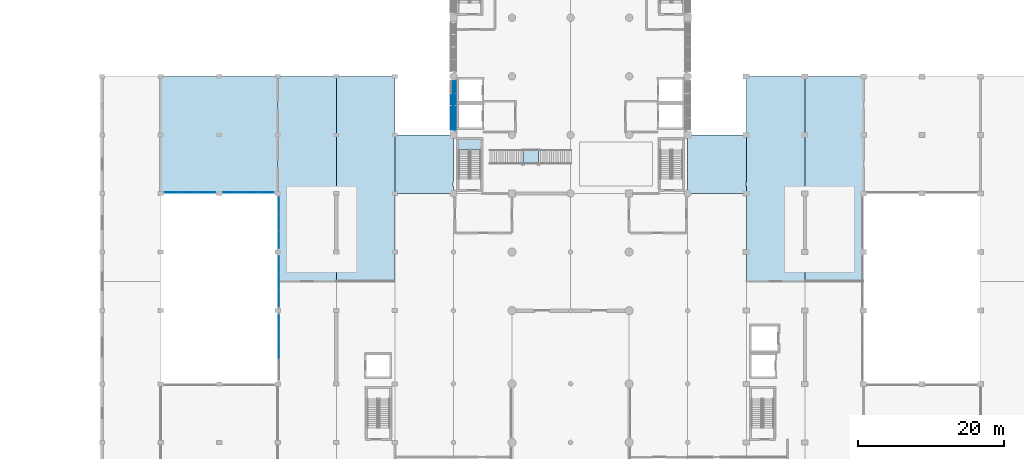
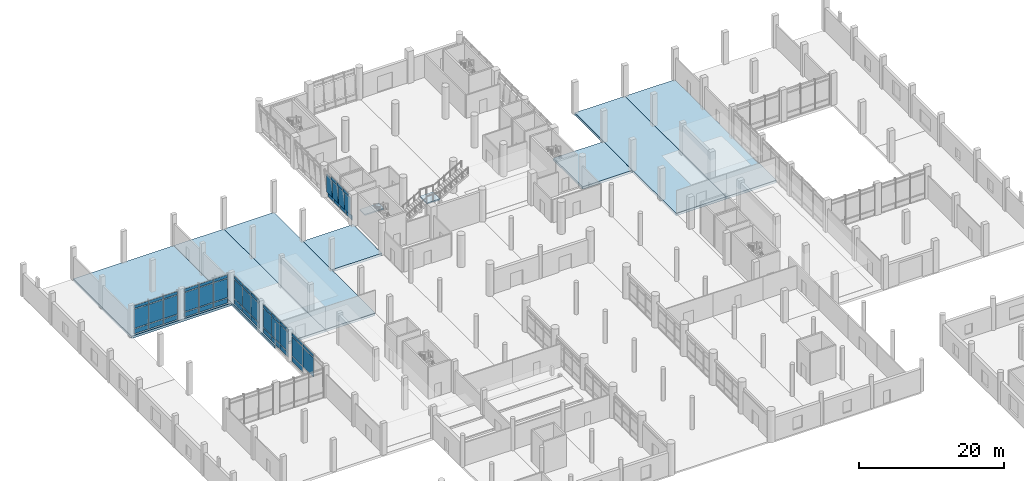
# One storey, part 17 of 42: 52 plates, 9 slabs, 8 elements without a shape of their own.
"""IFC4 building model written with IfcOpenShell, lengths in metres."""

from ifc_helpers import new_model, si_unit, direction, frame, origin, origin_2d, place, context, subcontext, project, spatial, polyline, rectangle, outline, extrude, material, layer, layer_set, type_object, element, aggregate, save


model = new_model("IFC4")

# Units and contexts
model_context = context("Model", 3, precision=1e-05, world=origin(), true_north=direction((0.0, 1.0)))
body_context = subcontext(model_context, "Body", "Model", "MODEL_VIEW")
ifc_project = project(units=[si_unit("LENGTHUNIT", "METRE"), si_unit("AREAUNIT", "SQUARE_METRE"), si_unit("VOLUMEUNIT", "CUBIC_METRE"), si_unit("PLANEANGLEUNIT", "RADIAN"), si_unit("MASSUNIT", "GRAM", prefix="KILO")], contexts=[model_context])

# Site, building, storey
site_placement = place(None, origin())
site = spatial("IfcSite", under=ifc_project, at=site_placement, CompositionType="ELEMENT")
building_placement = place(site_placement, origin())
building = spatial("IfcBuilding", under=site, at=building_placement, Name="Pecanmere Concourse Central Library", CompositionType="ELEMENT")
storey_placement = place(building_placement, origin())
storey = spatial("IfcBuildingStorey", under=building, at=storey_placement, Name="L01", CompositionType="ELEMENT", Elevation=0.0)

# Curtain wall, plate
ifc_material_1 = material(Name="Clear anodized aluminium alloy 6063-T6", Category="aluminium")
curtain_wall_type_1 = type_object("IfcCurtainWallType", Name="CW_CLOISTER_GLAZ", PredefinedType="USERDEFINED", material=ifc_material_1)
curtain_wall_1_placement = place(storey_placement, origin())
curtain_wall_1 = element("IfcCurtainWall", 1, at=curtain_wall_1_placement, inside=storey, type_object=curtain_wall_type_1, Name="Unitised Curtain Wall CW-04 L01-102", ObjectType="UNITISED CURTAIN WALL", PredefinedType="USERDEFINED")
ifc_material_2 = material(Name="White ceramic-fritted insulated spandrel glazing", Category="glass")
ifc_layer_1 = layer(ifc_material_2, 0.053955078125, Name="CWP_SPN_54")
ifc_layer_set_1 = layer_set([ifc_layer_1], Name="White ceramic-fritted insulated spandrel glazing")
plate_type_1 = type_object("IfcPlateType", Name="CWP_SPN_54", PredefinedType="CURTAIN_PANEL", material=ifc_layer_set_1)
plate_1_placement = place(storey_placement, frame((48.14990234375, 71.998291015625, 0.139892578125), z_axis=(0.0, 0.0, 1.0), x_axis=(0.0, -1.0, 0.0)))
plate_1 = element("IfcPlate", 2, at=plate_1_placement, type_object=plate_type_1, Name="CW-04 Spandrel Panel 1.1", PredefinedType="CURTAIN_PANEL", context=body_context, shape_type="SweptSolid", body=[
    extrude(rectangle(XDim=2.92333984375, YDim=0.035888671875, at=origin_2d()), origin(), (0.0, 0.0, 1.0), 0.7900390625),
])

# Curtain wall, plates
curtain_wall_2_placement = place(storey_placement, origin())
curtain_wall_2 = element("IfcCurtainWall", 3, at=curtain_wall_2_placement, inside=storey, type_object=curtain_wall_type_1, Name="Unitised Curtain Wall CW-04 L01-104", ObjectType="UNITISED CURTAIN WALL", PredefinedType="USERDEFINED")
plate_2_placement = place(storey_placement, frame((48.14990234375, 80.331787109375, 0.139892578125), z_axis=(0.0, 0.0, 1.0), x_axis=(0.0, -1.0, 0.0)))
plate_2 = element("IfcPlate", 4, at=plate_2_placement, type_object=plate_type_1, Name="CW-04 Spandrel Panel 1.1", PredefinedType="CURTAIN_PANEL", context=body_context, shape_type="SweptSolid", body=[
    extrude(rectangle(XDim=2.256591796875, YDim=0.035888671875, at=origin_2d()), origin(), (0.0, 0.0, 1.0), 0.7900390625),
])
plate_3_placement = place(storey_placement, frame((48.14990234375, 78.0, 0.139892578125), z_axis=(0.0, 0.0, 1.0), x_axis=(0.0, -1.0, 0.0)))
plate_3 = element("IfcPlate", 5, at=plate_3_placement, type_object=plate_type_1, Name="CW-04 Spandrel Panel 2.1", PredefinedType="CURTAIN_PANEL", context=body_context, shape_type="SweptSolid", body=[
    extrude(rectangle(XDim=2.28662109375, YDim=0.035888671875, at=origin_2d()), origin(), (0.0, 0.0, 1.0), 0.7900390625),
])
plate_4_placement = place(storey_placement, frame((48.14990234375, 75.668212890625, 0.139892578125), z_axis=(0.0, 0.0, 1.0), x_axis=(0.0, -1.0, 0.0)))
plate_4 = element("IfcPlate", 6, at=plate_4_placement, type_object=plate_type_1, Name="CW-04 Spandrel Panel 3.1", PredefinedType="CURTAIN_PANEL", context=body_context, shape_type="SweptSolid", body=[
    extrude(rectangle(XDim=2.256591796875, YDim=0.035888671875, at=origin_2d()), origin(), (0.0, 0.0, 1.0), 0.7900390625),
])

curtain_wall_3_placement = place(storey_placement, origin())
curtain_wall_3 = element("IfcCurtainWall", 7, at=curtain_wall_3_placement, inside=storey, type_object=curtain_wall_type_1, Name="Unitised Curtain Wall CW-04 L01-106", ObjectType="UNITISED CURTAIN WALL", PredefinedType="USERDEFINED")
plate_5_placement = place(storey_placement, frame((48.14990234375, 88.331787109375, 0.139892578125), z_axis=(0.0, 0.0, 1.0), x_axis=(0.0, -1.0, 0.0)))
plate_5 = element("IfcPlate", 8, at=plate_5_placement, type_object=plate_type_1, Name="CW-04 Spandrel Panel 1.1", PredefinedType="CURTAIN_PANEL", context=body_context, shape_type="SweptSolid", body=[
    extrude(rectangle(XDim=2.256591796875, YDim=0.035888671875, at=origin_2d()), origin(), (0.0, 0.0, 1.0), 0.7900390625),
])
plate_6_placement = place(storey_placement, frame((48.14990234375, 86.0, 0.139892578125), z_axis=(0.0, 0.0, 1.0), x_axis=(0.0, -1.0, 0.0)))
plate_6 = element("IfcPlate", 9, at=plate_6_placement, type_object=plate_type_1, Name="CW-04 Spandrel Panel 2.1", PredefinedType="CURTAIN_PANEL", context=body_context, shape_type="SweptSolid", body=[
    extrude(rectangle(XDim=2.28662109375, YDim=0.035888671875, at=origin_2d()), origin(), (0.0, 0.0, 1.0), 0.7900390625),
])
plate_7_placement = place(storey_placement, frame((48.14990234375, 83.668212890625, 0.139892578125), z_axis=(0.0, 0.0, 1.0), x_axis=(0.0, -1.0, 0.0)))
plate_7 = element("IfcPlate", 10, at=plate_7_placement, type_object=plate_type_1, Name="CW-04 Spandrel Panel 3.1", PredefinedType="CURTAIN_PANEL", context=body_context, shape_type="SweptSolid", body=[
    extrude(rectangle(XDim=2.256591796875, YDim=0.035888671875, at=origin_2d()), origin(), (0.0, 0.0, 1.0), 0.7900390625),
])

curtain_wall_4_placement = place(storey_placement, origin())
curtain_wall_4 = element("IfcCurtainWall", 11, at=curtain_wall_4_placement, inside=storey, type_object=curtain_wall_type_1, Name="Unitised Curtain Wall CW-04 L01-112", ObjectType="UNITISED CURTAIN WALL", PredefinedType="USERDEFINED")
plate_8_placement = place(storey_placement, frame((38.331787109375, 90.14990234375, 0.139892578125), z_axis=(0.0, 0.0, 1.0), x_axis=(-1.0, 0.0, 0.0)))
plate_8 = element("IfcPlate", 12, at=plate_8_placement, type_object=plate_type_1, Name="CW-04 Spandrel Panel 1.1", PredefinedType="CURTAIN_PANEL", context=body_context, shape_type="SweptSolid", body=[
    extrude(rectangle(XDim=2.256591796875, YDim=0.035888671875, at=origin_2d()), origin(), (0.0, 0.0, 1.0), 0.7900390625),
])
plate_9_placement = place(storey_placement, frame((36.0, 90.14990234375, 0.139892578125), z_axis=(0.0, 0.0, 1.0), x_axis=(-1.0, 0.0, 0.0)))
plate_9 = element("IfcPlate", 13, at=plate_9_placement, type_object=plate_type_1, Name="CW-04 Spandrel Panel 2.1", PredefinedType="CURTAIN_PANEL", context=body_context, shape_type="SweptSolid", body=[
    extrude(rectangle(XDim=2.28662109375, YDim=0.035888671875, at=origin_2d()), origin(), (0.0, 0.0, 1.0), 0.7900390625),
])
plate_10_placement = place(storey_placement, frame((33.668212890625, 90.14990234375, 0.139892578125), z_axis=(0.0, 0.0, 1.0), x_axis=(-1.0, 0.0, 0.0)))
plate_10 = element("IfcPlate", 14, at=plate_10_placement, type_object=plate_type_1, Name="CW-04 Spandrel Panel 3.1", PredefinedType="CURTAIN_PANEL", context=body_context, shape_type="SweptSolid", body=[
    extrude(rectangle(XDim=2.256591796875, YDim=0.035888671875, at=origin_2d()), origin(), (0.0, 0.0, 1.0), 0.7900390625),
])

curtain_wall_5_placement = place(storey_placement, origin())
curtain_wall_5 = element("IfcCurtainWall", 15, at=curtain_wall_5_placement, inside=storey, type_object=curtain_wall_type_1, Name="Unitised Curtain Wall CW-04 L01-114", ObjectType="UNITISED CURTAIN WALL", PredefinedType="USERDEFINED")
plate_11_placement = place(storey_placement, frame((46.331787109375, 90.14990234375, 0.139892578125), z_axis=(0.0, 0.0, 1.0), x_axis=(-1.0, 0.0, 0.0)))
plate_11 = element("IfcPlate", 16, at=plate_11_placement, type_object=plate_type_1, Name="CW-04 Spandrel Panel 1.1", PredefinedType="CURTAIN_PANEL", context=body_context, shape_type="SweptSolid", body=[
    extrude(rectangle(XDim=2.256591796875, YDim=0.035888671875, at=origin_2d()), origin(), (0.0, 0.0, 1.0), 0.7900390625),
])
plate_12_placement = place(storey_placement, frame((44.0, 90.14990234375, 0.139892578125), z_axis=(0.0, 0.0, 1.0), x_axis=(-1.0, 0.0, 0.0)))
plate_12 = element("IfcPlate", 17, at=plate_12_placement, type_object=plate_type_1, Name="CW-04 Spandrel Panel 2.1", PredefinedType="CURTAIN_PANEL", context=body_context, shape_type="SweptSolid", body=[
    extrude(rectangle(XDim=2.28662109375, YDim=0.035888671875, at=origin_2d()), origin(), (0.0, 0.0, 1.0), 0.7900390625),
])
plate_13_placement = place(storey_placement, frame((41.668212890625, 90.14990234375, 0.139892578125), z_axis=(0.0, 0.0, 1.0), x_axis=(-1.0, 0.0, 0.0)))
plate_13 = element("IfcPlate", 18, at=plate_13_placement, type_object=plate_type_1, Name="CW-04 Spandrel Panel 3.1", PredefinedType="CURTAIN_PANEL", context=body_context, shape_type="SweptSolid", body=[
    extrude(rectangle(XDim=2.256591796875, YDim=0.035888671875, at=origin_2d()), origin(), (0.0, 0.0, 1.0), 0.7900390625),
])

ifc_material_3 = material(Name="Anodized bronze aluminium alloy 6063-T6", Category="aluminium")
curtain_wall_type_2 = type_object("IfcCurtainWallType", Name="CW_LEAN_BANDED", PredefinedType="USERDEFINED", material=ifc_material_3)
curtain_wall_6_placement = place(storey_placement, origin())
curtain_wall_6 = element("IfcCurtainWall", 19, at=curtain_wall_6_placement, inside=storey, type_object=curtain_wall_type_2, Name="Unitised Curtain Wall CW-01 L01-007", ObjectType="UNITISED CURTAIN WALL", PredefinedType="USERDEFINED")
ifc_material_4 = material(Name="White ceramic-fritted insulated spandrel glazing", Category="glass")
ifc_layer_2 = layer(ifc_material_4, 0.06396484375, Name="CWP_SPN_64")
ifc_layer_set_2 = layer_set([ifc_layer_2], Name="White ceramic-fritted insulated spandrel glazing")
plate_type_2 = type_object("IfcPlateType", Name="CWP_SPN_64", PredefinedType="CURTAIN_PANEL", material=ifc_layer_set_2)
plate_14_placement = place(storey_placement, frame((72.27392578125, 104.516357421875, 0.18017578125), z_axis=(0.0, 0.0, 1.0), x_axis=(0.0, -1.0, 0.0)))
plate_14 = element("IfcPlate", 20, at=plate_14_placement, type_object=plate_type_2, Name="CW-01 Spandrel Panel 1.1", PredefinedType="CURTAIN_PANEL", context=body_context, shape_type="SweptSolid", body=[
    extrude(rectangle(XDim=1.577392578125, YDim=0.0419921875, at=origin_2d()), origin(), (0.0, 0.0, 1.0), 0.780029296875),
])
plate_15_placement = place(storey_placement, frame((72.27392578125, 102.844970703125, 0.18017578125), z_axis=(0.0, 0.0, 1.0), x_axis=(0.0, -1.0, 0.0)))
plate_15 = element("IfcPlate", 21, at=plate_15_placement, type_object=plate_type_2, Name="CW-01 Spandrel Panel 2.1", PredefinedType="CURTAIN_PANEL", context=body_context, shape_type="SweptSolid", body=[
    extrude(rectangle(XDim=1.614990234375, YDim=0.0419921875, at=origin_2d()), origin(), (0.0, 0.0, 1.0), 0.780029296875),
])
plate_16_placement = place(storey_placement, frame((72.27392578125, 101.155029296875, 0.18017578125), z_axis=(0.0, 0.0, 1.0), x_axis=(0.0, -1.0, 0.0)))
plate_16 = element("IfcPlate", 22, at=plate_16_placement, type_object=plate_type_2, Name="CW-01 Spandrel Panel 3.1", PredefinedType="CURTAIN_PANEL", context=body_context, shape_type="SweptSolid", body=[
    extrude(rectangle(XDim=1.614990234375, YDim=0.0419921875, at=origin_2d()), origin(), (0.0, 0.0, 1.0), 0.780029296875),
])
plate_17_placement = place(storey_placement, frame((72.27392578125, 99.483642578125, 0.18017578125), z_axis=(0.0, 0.0, 1.0), x_axis=(0.0, -1.0, 0.0)))
plate_17 = element("IfcPlate", 23, at=plate_17_placement, type_object=plate_type_2, Name="CW-01 Spandrel Panel 4.1", PredefinedType="CURTAIN_PANEL", context=body_context, shape_type="SweptSolid", body=[
    extrude(rectangle(XDim=1.577392578125, YDim=0.0419921875, at=origin_2d()), origin(), (0.0, 0.0, 1.0), 0.780029296875),
])

# Plate
ifc_material_5 = material(Name="Low-iron clear insulated glazing", Category="glass")
ifc_layer_3 = layer(ifc_material_5, 0.035888671875, Name="CWP_VIS_36")
ifc_layer_set_3 = layer_set([ifc_layer_3], Name="Low-iron clear insulated glazing")
plate_type_3 = type_object("IfcPlateType", Name="CWP_VIS_36", PredefinedType="CURTAIN_PANEL", material=ifc_layer_set_3)
plate_18_placement = place(storey_placement, frame((48.14990234375, 71.998291015625, 1.070068359375), z_axis=(0.0, 0.0, 1.0), x_axis=(0.0, -1.0, 0.0)))
plate_18 = element("IfcPlate", 24, at=plate_18_placement, type_object=plate_type_3, Name="CW-04 Vision Panel 1.2", PredefinedType="CURTAIN_PANEL", context=body_context, shape_type="SweptSolid", body=[
    extrude(rectangle(XDim=2.92333984375, YDim=0.035888671875, at=origin_2d()), origin(), (0.0, 0.0, 1.0), 3.18994140625),
])

plate_19_placement = place(storey_placement, frame((48.14990234375, 71.998291015625, 4.39990234375), z_axis=(0.0, 0.0, 1.0), x_axis=(0.0, -1.0, 0.0)))
plate_19 = element("IfcPlate", 25, at=plate_19_placement, type_object=plate_type_3, Name="CW-04 Vision Panel 1.3", PredefinedType="CURTAIN_PANEL", context=body_context, shape_type="SweptSolid", body=[
    extrude(rectangle(XDim=2.92333984375, YDim=0.035888671875, at=origin_2d()), origin(), (0.0, 0.0, 1.0), 0.489990234375),
])

plate_20_placement = place(storey_placement, frame((48.14990234375, 69.0, 1.070068359375), z_axis=(0.0, 0.0, 1.0), x_axis=(0.0, -1.0, 0.0)))
plate_20 = element("IfcPlate", 26, at=plate_20_placement, type_object=plate_type_3, Name="CW-04 Vision Panel 2.2", PredefinedType="CURTAIN_PANEL", context=body_context, shape_type="SweptSolid", body=[
    extrude(rectangle(XDim=2.953369140625, YDim=0.035888671875, at=origin_2d()), origin(), (0.0, 0.0, 1.0), 3.18994140625),
])

plate_21_placement = place(storey_placement, frame((48.14990234375, 69.0, 4.39990234375), z_axis=(0.0, 0.0, 1.0), x_axis=(0.0, -1.0, 0.0)))
plate_21 = element("IfcPlate", 27, at=plate_21_placement, type_object=plate_type_3, Name="CW-04 Vision Panel 2.3", PredefinedType="CURTAIN_PANEL", context=body_context, shape_type="SweptSolid", body=[
    extrude(rectangle(XDim=2.953369140625, YDim=0.035888671875, at=origin_2d()), origin(), (0.0, 0.0, 1.0), 0.489990234375),
])

aggregate(curtain_wall_1, [plate_1, plate_18, plate_19, plate_20, plate_21])

plate_22_placement = place(storey_placement, frame((48.14990234375, 80.331787109375, 1.070068359375), z_axis=(0.0, 0.0, 1.0), x_axis=(0.0, -1.0, 0.0)))
plate_22 = element("IfcPlate", 28, at=plate_22_placement, type_object=plate_type_3, Name="CW-04 Vision Panel 1.2", PredefinedType="CURTAIN_PANEL", context=body_context, shape_type="SweptSolid", body=[
    extrude(rectangle(XDim=2.256591796875, YDim=0.035888671875, at=origin_2d()), origin(), (0.0, 0.0, 1.0), 3.18994140625),
])

plate_23_placement = place(storey_placement, frame((48.14990234375, 80.331787109375, 4.39990234375), z_axis=(0.0, 0.0, 1.0), x_axis=(0.0, -1.0, 0.0)))
plate_23 = element("IfcPlate", 29, at=plate_23_placement, type_object=plate_type_3, Name="CW-04 Vision Panel 1.3", PredefinedType="CURTAIN_PANEL", context=body_context, shape_type="SweptSolid", body=[
    extrude(rectangle(XDim=2.256591796875, YDim=0.035888671875, at=origin_2d()), origin(), (0.0, 0.0, 1.0), 0.489990234375),
])

plate_24_placement = place(storey_placement, frame((48.14990234375, 78.0, 1.070068359375), z_axis=(0.0, 0.0, 1.0), x_axis=(0.0, -1.0, 0.0)))
plate_24 = element("IfcPlate", 30, at=plate_24_placement, type_object=plate_type_3, Name="CW-04 Vision Panel 2.2", PredefinedType="CURTAIN_PANEL", context=body_context, shape_type="SweptSolid", body=[
    extrude(rectangle(XDim=2.28662109375, YDim=0.035888671875, at=origin_2d()), origin(), (0.0, 0.0, 1.0), 3.18994140625),
])

plate_25_placement = place(storey_placement, frame((48.14990234375, 78.0, 4.39990234375), z_axis=(0.0, 0.0, 1.0), x_axis=(0.0, -1.0, 0.0)))
plate_25 = element("IfcPlate", 31, at=plate_25_placement, type_object=plate_type_3, Name="CW-04 Vision Panel 2.3", PredefinedType="CURTAIN_PANEL", context=body_context, shape_type="SweptSolid", body=[
    extrude(rectangle(XDim=2.28662109375, YDim=0.035888671875, at=origin_2d()), origin(), (0.0, 0.0, 1.0), 0.489990234375),
])

plate_26_placement = place(storey_placement, frame((48.14990234375, 75.668212890625, 1.070068359375), z_axis=(0.0, 0.0, 1.0), x_axis=(0.0, -1.0, 0.0)))
plate_26 = element("IfcPlate", 32, at=plate_26_placement, type_object=plate_type_3, Name="CW-04 Vision Panel 3.2", PredefinedType="CURTAIN_PANEL", context=body_context, shape_type="SweptSolid", body=[
    extrude(rectangle(XDim=2.256591796875, YDim=0.035888671875, at=origin_2d()), origin(), (0.0, 0.0, 1.0), 3.18994140625),
])

plate_27_placement = place(storey_placement, frame((48.14990234375, 75.668212890625, 4.39990234375), z_axis=(0.0, 0.0, 1.0), x_axis=(0.0, -1.0, 0.0)))
plate_27 = element("IfcPlate", 33, at=plate_27_placement, type_object=plate_type_3, Name="CW-04 Vision Panel 3.3", PredefinedType="CURTAIN_PANEL", context=body_context, shape_type="SweptSolid", body=[
    extrude(rectangle(XDim=2.256591796875, YDim=0.035888671875, at=origin_2d()), origin(), (0.0, 0.0, 1.0), 0.489990234375),
])

aggregate(curtain_wall_2, [plate_2, plate_22, plate_23, plate_3, plate_24, plate_25, plate_4, plate_26, plate_27])

plate_28_placement = place(storey_placement, frame((48.14990234375, 88.331787109375, 1.070068359375), z_axis=(0.0, 0.0, 1.0), x_axis=(0.0, -1.0, 0.0)))
plate_28 = element("IfcPlate", 34, at=plate_28_placement, type_object=plate_type_3, Name="CW-04 Vision Panel 1.2", PredefinedType="CURTAIN_PANEL", context=body_context, shape_type="SweptSolid", body=[
    extrude(rectangle(XDim=2.256591796875, YDim=0.035888671875, at=origin_2d()), origin(), (0.0, 0.0, 1.0), 3.18994140625),
])

plate_29_placement = place(storey_placement, frame((48.14990234375, 88.331787109375, 4.39990234375), z_axis=(0.0, 0.0, 1.0), x_axis=(0.0, -1.0, 0.0)))
plate_29 = element("IfcPlate", 35, at=plate_29_placement, type_object=plate_type_3, Name="CW-04 Vision Panel 1.3", PredefinedType="CURTAIN_PANEL", context=body_context, shape_type="SweptSolid", body=[
    extrude(rectangle(XDim=2.256591796875, YDim=0.035888671875, at=origin_2d()), origin(), (0.0, 0.0, 1.0), 0.489990234375),
])

plate_30_placement = place(storey_placement, frame((48.14990234375, 86.0, 1.070068359375), z_axis=(0.0, 0.0, 1.0), x_axis=(0.0, -1.0, 0.0)))
plate_30 = element("IfcPlate", 36, at=plate_30_placement, type_object=plate_type_3, Name="CW-04 Vision Panel 2.2", PredefinedType="CURTAIN_PANEL", context=body_context, shape_type="SweptSolid", body=[
    extrude(rectangle(XDim=2.28662109375, YDim=0.035888671875, at=origin_2d()), origin(), (0.0, 0.0, 1.0), 3.18994140625),
])

plate_31_placement = place(storey_placement, frame((48.14990234375, 86.0, 4.39990234375), z_axis=(0.0, 0.0, 1.0), x_axis=(0.0, -1.0, 0.0)))
plate_31 = element("IfcPlate", 37, at=plate_31_placement, type_object=plate_type_3, Name="CW-04 Vision Panel 2.3", PredefinedType="CURTAIN_PANEL", context=body_context, shape_type="SweptSolid", body=[
    extrude(rectangle(XDim=2.28662109375, YDim=0.035888671875, at=origin_2d()), origin(), (0.0, 0.0, 1.0), 0.489990234375),
])

plate_32_placement = place(storey_placement, frame((48.14990234375, 83.668212890625, 1.070068359375), z_axis=(0.0, 0.0, 1.0), x_axis=(0.0, -1.0, 0.0)))
plate_32 = element("IfcPlate", 38, at=plate_32_placement, type_object=plate_type_3, Name="CW-04 Vision Panel 3.2", PredefinedType="CURTAIN_PANEL", context=body_context, shape_type="SweptSolid", body=[
    extrude(rectangle(XDim=2.256591796875, YDim=0.035888671875, at=origin_2d()), origin(), (0.0, 0.0, 1.0), 3.18994140625),
])

plate_33_placement = place(storey_placement, frame((48.14990234375, 83.668212890625, 4.39990234375), z_axis=(0.0, 0.0, 1.0), x_axis=(0.0, -1.0, 0.0)))
plate_33 = element("IfcPlate", 39, at=plate_33_placement, type_object=plate_type_3, Name="CW-04 Vision Panel 3.3", PredefinedType="CURTAIN_PANEL", context=body_context, shape_type="SweptSolid", body=[
    extrude(rectangle(XDim=2.256591796875, YDim=0.035888671875, at=origin_2d()), origin(), (0.0, 0.0, 1.0), 0.489990234375),
])

aggregate(curtain_wall_3, [plate_5, plate_28, plate_29, plate_6, plate_30, plate_31, plate_7, plate_32, plate_33])

plate_34_placement = place(storey_placement, frame((38.331787109375, 90.14990234375, 1.070068359375), z_axis=(0.0, 0.0, 1.0), x_axis=(-1.0, 0.0, 0.0)))
plate_34 = element("IfcPlate", 40, at=plate_34_placement, type_object=plate_type_3, Name="CW-04 Vision Panel 1.2", PredefinedType="CURTAIN_PANEL", context=body_context, shape_type="SweptSolid", body=[
    extrude(rectangle(XDim=2.256591796875, YDim=0.035888671875, at=origin_2d()), origin(), (0.0, 0.0, 1.0), 3.18994140625),
])

plate_35_placement = place(storey_placement, frame((38.331787109375, 90.14990234375, 4.39990234375), z_axis=(0.0, 0.0, 1.0), x_axis=(-1.0, 0.0, 0.0)))
plate_35 = element("IfcPlate", 41, at=plate_35_placement, type_object=plate_type_3, Name="CW-04 Vision Panel 1.3", PredefinedType="CURTAIN_PANEL", context=body_context, shape_type="SweptSolid", body=[
    extrude(rectangle(XDim=2.256591796875, YDim=0.035888671875, at=origin_2d()), origin(), (0.0, 0.0, 1.0), 0.489990234375),
])

plate_36_placement = place(storey_placement, frame((36.0, 90.14990234375, 1.070068359375), z_axis=(0.0, 0.0, 1.0), x_axis=(-1.0, 0.0, 0.0)))
plate_36 = element("IfcPlate", 42, at=plate_36_placement, type_object=plate_type_3, Name="CW-04 Vision Panel 2.2", PredefinedType="CURTAIN_PANEL", context=body_context, shape_type="SweptSolid", body=[
    extrude(rectangle(XDim=2.28662109375, YDim=0.035888671875, at=origin_2d()), origin(), (0.0, 0.0, 1.0), 3.18994140625),
])

plate_37_placement = place(storey_placement, frame((36.0, 90.14990234375, 4.39990234375), z_axis=(0.0, 0.0, 1.0), x_axis=(-1.0, 0.0, 0.0)))
plate_37 = element("IfcPlate", 43, at=plate_37_placement, type_object=plate_type_3, Name="CW-04 Vision Panel 2.3", PredefinedType="CURTAIN_PANEL", context=body_context, shape_type="SweptSolid", body=[
    extrude(rectangle(XDim=2.28662109375, YDim=0.035888671875, at=origin_2d()), origin(), (0.0, 0.0, 1.0), 0.489990234375),
])

plate_38_placement = place(storey_placement, frame((33.668212890625, 90.14990234375, 1.070068359375), z_axis=(0.0, 0.0, 1.0), x_axis=(-1.0, 0.0, 0.0)))
plate_38 = element("IfcPlate", 44, at=plate_38_placement, type_object=plate_type_3, Name="CW-04 Vision Panel 3.2", PredefinedType="CURTAIN_PANEL", context=body_context, shape_type="SweptSolid", body=[
    extrude(rectangle(XDim=2.256591796875, YDim=0.035888671875, at=origin_2d()), origin(), (0.0, 0.0, 1.0), 3.18994140625),
])

plate_39_placement = place(storey_placement, frame((33.668212890625, 90.14990234375, 4.39990234375), z_axis=(0.0, 0.0, 1.0), x_axis=(-1.0, 0.0, 0.0)))
plate_39 = element("IfcPlate", 45, at=plate_39_placement, type_object=plate_type_3, Name="CW-04 Vision Panel 3.3", PredefinedType="CURTAIN_PANEL", context=body_context, shape_type="SweptSolid", body=[
    extrude(rectangle(XDim=2.256591796875, YDim=0.035888671875, at=origin_2d()), origin(), (0.0, 0.0, 1.0), 0.489990234375),
])

aggregate(curtain_wall_4, [plate_8, plate_34, plate_35, plate_9, plate_36, plate_37, plate_10, plate_38, plate_39])

plate_40_placement = place(storey_placement, frame((46.331787109375, 90.14990234375, 1.070068359375), z_axis=(0.0, 0.0, 1.0), x_axis=(-1.0, 0.0, 0.0)))
plate_40 = element("IfcPlate", 46, at=plate_40_placement, type_object=plate_type_3, Name="CW-04 Vision Panel 1.2", PredefinedType="CURTAIN_PANEL", context=body_context, shape_type="SweptSolid", body=[
    extrude(rectangle(XDim=2.256591796875, YDim=0.035888671875, at=origin_2d()), origin(), (0.0, 0.0, 1.0), 3.18994140625),
])

plate_41_placement = place(storey_placement, frame((46.331787109375, 90.14990234375, 4.39990234375), z_axis=(0.0, 0.0, 1.0), x_axis=(-1.0, 0.0, 0.0)))
plate_41 = element("IfcPlate", 47, at=plate_41_placement, type_object=plate_type_3, Name="CW-04 Vision Panel 1.3", PredefinedType="CURTAIN_PANEL", context=body_context, shape_type="SweptSolid", body=[
    extrude(rectangle(XDim=2.256591796875, YDim=0.035888671875, at=origin_2d()), origin(), (0.0, 0.0, 1.0), 0.489990234375),
])

plate_42_placement = place(storey_placement, frame((44.0, 90.14990234375, 1.070068359375), z_axis=(0.0, 0.0, 1.0), x_axis=(-1.0, 0.0, 0.0)))
plate_42 = element("IfcPlate", 48, at=plate_42_placement, type_object=plate_type_3, Name="CW-04 Vision Panel 2.2", PredefinedType="CURTAIN_PANEL", context=body_context, shape_type="SweptSolid", body=[
    extrude(rectangle(XDim=2.28662109375, YDim=0.035888671875, at=origin_2d()), origin(), (0.0, 0.0, 1.0), 3.18994140625),
])

plate_43_placement = place(storey_placement, frame((44.0, 90.14990234375, 4.39990234375), z_axis=(0.0, 0.0, 1.0), x_axis=(-1.0, 0.0, 0.0)))
plate_43 = element("IfcPlate", 49, at=plate_43_placement, type_object=plate_type_3, Name="CW-04 Vision Panel 2.3", PredefinedType="CURTAIN_PANEL", context=body_context, shape_type="SweptSolid", body=[
    extrude(rectangle(XDim=2.28662109375, YDim=0.035888671875, at=origin_2d()), origin(), (0.0, 0.0, 1.0), 0.489990234375),
])

plate_44_placement = place(storey_placement, frame((41.668212890625, 90.14990234375, 1.070068359375), z_axis=(0.0, 0.0, 1.0), x_axis=(-1.0, 0.0, 0.0)))
plate_44 = element("IfcPlate", 50, at=plate_44_placement, type_object=plate_type_3, Name="CW-04 Vision Panel 3.2", PredefinedType="CURTAIN_PANEL", context=body_context, shape_type="SweptSolid", body=[
    extrude(rectangle(XDim=2.256591796875, YDim=0.035888671875, at=origin_2d()), origin(), (0.0, 0.0, 1.0), 3.18994140625),
])

plate_45_placement = place(storey_placement, frame((41.668212890625, 90.14990234375, 4.39990234375), z_axis=(0.0, 0.0, 1.0), x_axis=(-1.0, 0.0, 0.0)))
plate_45 = element("IfcPlate", 51, at=plate_45_placement, type_object=plate_type_3, Name="CW-04 Vision Panel 3.3", PredefinedType="CURTAIN_PANEL", context=body_context, shape_type="SweptSolid", body=[
    extrude(rectangle(XDim=2.256591796875, YDim=0.035888671875, at=origin_2d()), origin(), (0.0, 0.0, 1.0), 0.489990234375),
])

aggregate(curtain_wall_5, [plate_11, plate_40, plate_41, plate_12, plate_42, plate_43, plate_13, plate_44, plate_45])

ifc_material_6 = material(Name="Low-iron clear insulated glazing", Category="glass")
ifc_layer_4 = layer(ifc_material_6, 0.0419921875, Name="CWP_VIS_42")
ifc_layer_set_4 = layer_set([ifc_layer_4], Name="Low-iron clear insulated glazing")
plate_type_4 = type_object("IfcPlateType", Name="CWP_VIS_42", PredefinedType="CURTAIN_PANEL", material=ifc_layer_set_4)
plate_46_placement = place(storey_placement, frame((71.994384765625, 104.516357421875, 1.14013671875), z_axis=(0.0, 0.0, 1.0), x_axis=(0.0, -1.0, 0.0)))
plate_46 = element("IfcPlate", 52, at=plate_46_placement, type_object=plate_type_4, Name="CW-01 Vision Panel 1.2", PredefinedType="CURTAIN_PANEL", context=body_context, shape_type="SweptSolid", body=[
    extrude(rectangle(XDim=1.577392578125, YDim=0.0419921875, at=origin_2d()), origin(), (0.0, 0.0, 1.0), 3.050048828125),
])

plate_47_placement = place(storey_placement, frame((71.994384765625, 102.844970703125, 1.14013671875), z_axis=(0.0, 0.0, 1.0), x_axis=(0.0, -1.0, 0.0)))
plate_47 = element("IfcPlate", 53, at=plate_47_placement, type_object=plate_type_4, Name="CW-01 Vision Panel 2.2", PredefinedType="CURTAIN_PANEL", context=body_context, shape_type="SweptSolid", body=[
    extrude(rectangle(XDim=1.614990234375, YDim=0.0419921875, at=origin_2d()), origin(), (0.0, 0.0, 1.0), 3.050048828125),
])

plate_48_placement = place(storey_placement, frame((71.73486328125, 102.844970703125, 4.3701171875), z_axis=(0.0, 0.0, 1.0), x_axis=(0.0, -1.0, 0.0)))
plate_48 = element("IfcPlate", 54, at=plate_48_placement, type_object=plate_type_4, Name="CW-01 Vision Panel 2.3", PredefinedType="CURTAIN_PANEL", context=body_context, shape_type="SweptSolid", body=[
    extrude(rectangle(XDim=1.614990234375, YDim=0.0419921875, at=origin_2d()), origin(), (0.0, 0.0, 1.0), 0.47998046875),
])

plate_49_placement = place(storey_placement, frame((71.994384765625, 101.155029296875, 1.14013671875), z_axis=(0.0, 0.0, 1.0), x_axis=(0.0, -1.0, 0.0)))
plate_49 = element("IfcPlate", 55, at=plate_49_placement, type_object=plate_type_4, Name="CW-01 Vision Panel 3.2", PredefinedType="CURTAIN_PANEL", context=body_context, shape_type="SweptSolid", body=[
    extrude(rectangle(XDim=1.614990234375, YDim=0.0419921875, at=origin_2d()), origin(), (0.0, 0.0, 1.0), 3.050048828125),
])

plate_50_placement = place(storey_placement, frame((71.73486328125, 101.155029296875, 4.3701171875), z_axis=(0.0, 0.0, 1.0), x_axis=(0.0, -1.0, 0.0)))
plate_50 = element("IfcPlate", 56, at=plate_50_placement, type_object=plate_type_4, Name="CW-01 Vision Panel 3.3", PredefinedType="CURTAIN_PANEL", context=body_context, shape_type="SweptSolid", body=[
    extrude(rectangle(XDim=1.614990234375, YDim=0.0419921875, at=origin_2d()), origin(), (0.0, 0.0, 1.0), 0.47998046875),
])

plate_51_placement = place(storey_placement, frame((71.994384765625, 99.483642578125, 1.14013671875), z_axis=(0.0, 0.0, 1.0), x_axis=(0.0, -1.0, 0.0)))
plate_51 = element("IfcPlate", 57, at=plate_51_placement, type_object=plate_type_4, Name="CW-01 Vision Panel 4.2", PredefinedType="CURTAIN_PANEL", context=body_context, shape_type="SweptSolid", body=[
    extrude(rectangle(XDim=1.577392578125, YDim=0.0419921875, at=origin_2d()), origin(), (0.0, 0.0, 1.0), 3.050048828125),
])

plate_52_placement = place(storey_placement, frame((71.73486328125, 99.483642578125, 4.3701171875), z_axis=(0.0, 0.0, 1.0), x_axis=(0.0, -1.0, 0.0)))
plate_52 = element("IfcPlate", 58, at=plate_52_placement, type_object=plate_type_4, Name="CW-01 Vision Panel 4.3", PredefinedType="CURTAIN_PANEL", context=body_context, shape_type="SweptSolid", body=[
    extrude(rectangle(XDim=1.577392578125, YDim=0.0419921875, at=origin_2d()), origin(), (0.0, 0.0, 1.0), 0.47998046875),
])

aggregate(curtain_wall_6, [plate_14, plate_46, plate_15, plate_47, plate_48, plate_16, plate_49, plate_50, plate_17, plate_51, plate_52])

# Slabs
ifc_material_7 = material(Name="Concrete C35/45", Category="concrete")
ifc_layer_5 = layer(ifc_material_7, 0.419921875, Name="SLAB_GRADE_420")
ifc_layer_set_5 = layer_set([ifc_layer_5], Name="Concrete C35/45")
slab_type_1 = type_object("IfcSlabType", Name="SLAB_GRADE_420", PredefinedType="FLOOR", material=ifc_layer_set_5)
slab_1_placement = place(storey_placement, frame((0.0, 0.0, -0.419921875)))
element("IfcSlab", 59, at=slab_1_placement, inside=storey, type_object=slab_type_1, Name="Floor Slab V2 L01-035", PredefinedType="FLOOR", context=body_context, shape_type="SweptSolid", body=[
    extrude(outline(polyline([(112.0, 91.60009765625), (111.919921875, 91.60009765625), (111.919921875, 91.0), (112.0, 91.0), (112.0, 90.0), (104.0, 90.0), (104.0, 98.0), (112.0, 98.0), (112.0, 91.60009765625)])), origin(), (0.0, 0.0, 1.0), 0.419921875),
])
slab_2_placement = place(storey_placement, frame((0.0, 0.0, -0.419921875)))
element("IfcSlab", 60, at=slab_2_placement, inside=storey, type_object=slab_type_1, Name="Floor Slab V2 L01-037", PredefinedType="FLOOR", context=body_context, shape_type="SweptSolid", body=[
    extrude(outline(polyline([(112.0, 106.0), (120.0, 106.0), (120.0, 78.0), (112.0, 78.0), (112.0, 90.0), (112.0, 98.0), (112.0, 106.0)])), origin(), (0.0, 0.0, 1.0), 0.419921875),
])
slab_3_placement = place(storey_placement, frame((0.0, 0.0, -0.419921875)))
element("IfcSlab", 61, at=slab_3_placement, inside=storey, type_object=slab_type_1, Name="Floor Slab V2 L01-039", PredefinedType="FLOOR", context=body_context, shape_type="SweptSolid", body=[
    extrude(outline(polyline([(128.0, 78.0), (120.0, 78.0), (120.0, 106.0), (128.0, 106.0), (128.0, 90.0), (128.0, 78.0)])), origin(), (0.0, 0.0, 1.0), 0.419921875),
])
slab_4_placement = place(storey_placement, frame((0.0, 0.0, -0.419921875)))
element("IfcSlab", 62, at=slab_4_placement, inside=storey, type_object=slab_type_1, Name="Floor Slab V3 L01-047", PredefinedType="FLOOR", context=body_context, shape_type="SweptSolid", body=[
    extrude(outline(polyline([(48.0, 106.0), (48.0, 91.60009765625), (47.919921875, 91.60009765625), (47.919921875, 91.0), (48.0, 91.0), (48.0, 90.0), (32.0, 90.0), (32.0, 106.0), (48.0, 106.0)])), origin(), (0.0, 0.0, 1.0), 0.419921875),
])
slab_5_placement = place(storey_placement, frame((0.0, 0.0, -0.419921875)))
element("IfcSlab", 63, at=slab_5_placement, inside=storey, type_object=slab_type_1, Name="Floor Slab V3 L01-049", PredefinedType="FLOOR", context=body_context, shape_type="SweptSolid", body=[
    extrude(outline(polyline([(48.0, 78.0), (48.0, 90.0), (48.0, 106.0), (56.0, 106.0), (56.0, 78.0), (48.0, 78.0)])), origin(), (0.0, 0.0, 1.0), 0.419921875),
])
slab_6_placement = place(storey_placement, frame((0.0, 0.0, -0.419921875)))
element("IfcSlab", 64, at=slab_6_placement, inside=storey, type_object=slab_type_1, Name="Floor Slab V3 L01-051", PredefinedType="FLOOR", context=body_context, shape_type="SweptSolid", body=[
    extrude(outline(polyline([(64.0, 90.0), (64.0, 78.0), (56.0, 78.0), (56.0, 106.0), (64.0, 106.0), (64.0, 98.0), (64.0, 90.0)])), origin(), (0.0, 0.0, 1.0), 0.419921875),
])
slab_7_placement = place(storey_placement, frame((0.0, 0.0, -0.419921875)))
element("IfcSlab", 65, at=slab_7_placement, inside=storey, type_object=slab_type_1, Name="Floor Slab V3 L01-052", PredefinedType="FLOOR", context=body_context, shape_type="SweptSolid", body=[
    extrude(outline(polyline([(64.0, 98.0), (72.0, 98.0), (72.0, 91.60009765625), (71.919921875, 91.60009765625), (71.919921875, 91.0), (72.0, 91.0), (72.0, 90.0), (64.0, 90.0), (64.0, 98.0)])), origin(), (0.0, 0.0, 1.0), 0.419921875),
])

# Stair, slab
ifc_material_8 = material(Name="Concrete C35/45", Category="concrete")
stair_type_1 = type_object("IfcStairType", Name="STAIR_TYPE_ST-01-1800", PredefinedType="USERDEFINED", material=ifc_material_8)
stair_1_placement = place(storey_placement, origin())
stair_1 = element("IfcStair", 66, at=stair_1_placement, inside=storey, type_object=stair_type_1, Name="L01 Protected Stair ST-01", ObjectType="TWO_RETURN_STAIR", PredefinedType="USERDEFINED")
ifc_material_9 = material(Name="Concrete C35/45", Category="concrete")
ifc_layer_6 = layer(ifc_material_9, 0.199951171875, Name="SLAB_LANDING_200")
ifc_layer_set_6 = layer_set([ifc_layer_6], Name="Concrete C35/45")
slab_type_2 = type_object("IfcSlabType", Name="SLAB_LANDING_200", PredefinedType="LANDING", material=ifc_layer_set_6)
slab_8_placement = place(storey_placement, frame((0.0, 0.0, 2.5)))
slab_8 = element("IfcSlab", 67, at=slab_8_placement, type_object=slab_type_2, Name="ST-01-1800 landing 1", PredefinedType="LANDING", context=body_context, shape_type="SweptSolid", body=[
    extrude(outline(polyline([(75.760009765625, 95.919921875), (75.760009765625, 97.3701171875), (72.699951171875, 97.3701171875), (72.699951171875, 95.919921875), (75.760009765625, 95.919921875)])), origin(), (0.0, 0.0, 1.0), 0.199951171875),
])
aggregate(stair_1, [slab_8])

ifc_material_10 = material(Name="Concrete C35/45", Category="concrete")
stair_type_2 = type_object("IfcStairType", Name="STAIR_TYPE_ST-M2", PredefinedType="STRAIGHT_RUN_STAIR", material=ifc_material_10)
stair_2_placement = place(storey_placement, origin())
stair_2 = element("IfcStair", 68, at=stair_2_placement, inside=storey, type_object=stair_type_2, Name="Monumental Civic Stair ST-M2", PredefinedType="STRAIGHT_RUN_STAIR")
ifc_material_11 = material(Name="Concrete C40/50", Category="concrete")
ifc_layer_7 = layer(ifc_material_11, 0.239990234375, Name="SLAB_LANDING_240")
ifc_layer_set_7 = layer_set([ifc_layer_7], Name="Concrete C40/50")
slab_type_3 = type_object("IfcSlabType", Name="SLAB_LANDING_240", PredefinedType="LANDING", material=ifc_layer_set_7)
slab_9_placement = place(storey_placement, frame((0.0, 0.0, 2.4599609375)))
slab_9 = element("IfcSlab", 69, at=slab_9_placement, type_object=slab_type_3, Name="ST-M2 Mid Landing", PredefinedType="LANDING", context=body_context, shape_type="SweptSolid", body=[
    extrude(outline(polyline([(81.5, 94.02490234375), (83.60009765625, 94.02490234375), (83.60009765625, 95.97509765625), (81.5, 95.97509765625), (81.5, 94.02490234375)])), origin(), (0.0, 0.0, 1.0), 0.239990234375),
])
aggregate(stair_2, [slab_9])

save(model, "model.ifc")
